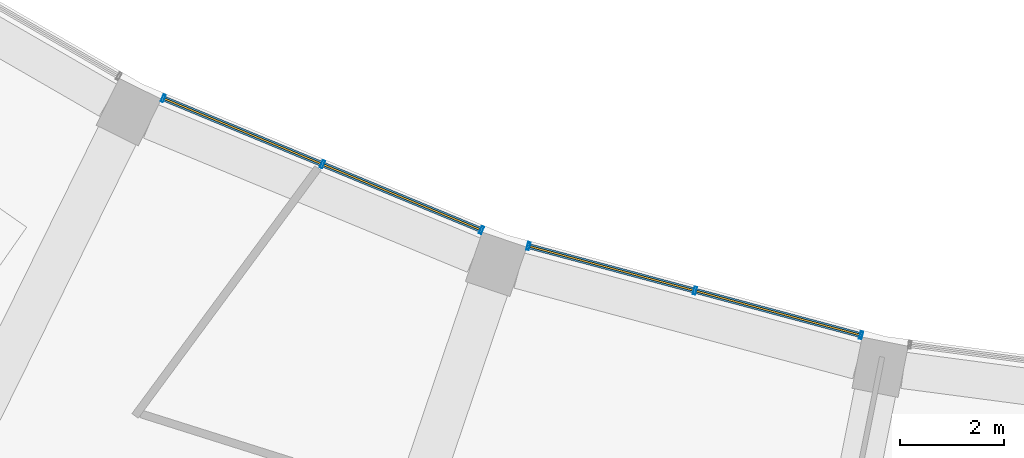
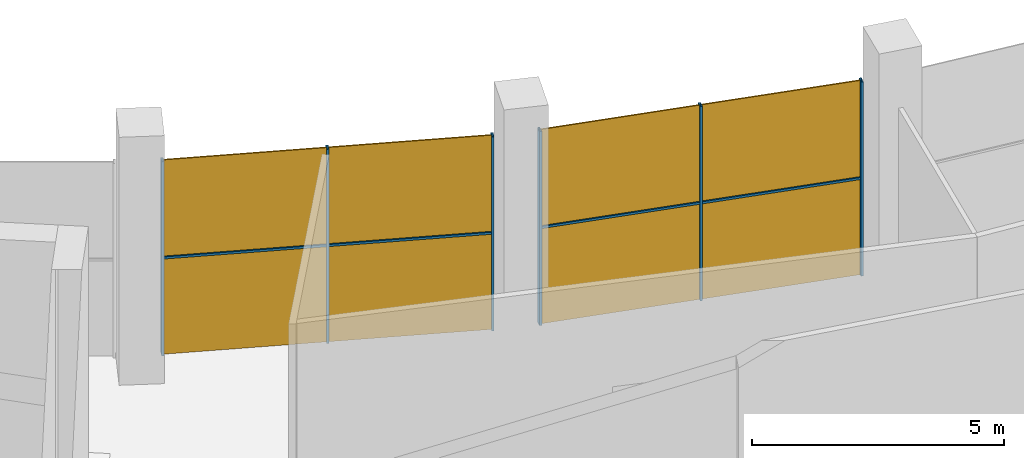
# One storey, part 27 of 41: 10 members, 2 curtain walls.
"""IFC4 building model written with IfcOpenShell, lengths in metres."""

from ifc_helpers import new_model, si_unit, direction, frame, origin, origin_2d, place, context, subcontext, project, spatial, rectangle, hollow_rectangle, extrude, material, material_profile, profile_set, type_object, element, aggregate, save


model = new_model("IFC4")

# Units and contexts
model_context = context("Model", 3, precision=1e-05, world=origin(), true_north=direction((0.0, 1.0)))
body_context = subcontext(model_context, "Body", "Model", "MODEL_VIEW")
ifc_project = project(units=[si_unit("LENGTHUNIT", "METRE"), si_unit("AREAUNIT", "SQUARE_METRE"), si_unit("VOLUMEUNIT", "CUBIC_METRE"), si_unit("PLANEANGLEUNIT", "RADIAN"), si_unit("MASSUNIT", "GRAM", prefix="KILO")], contexts=[model_context])

# Member
ifc_material = material(Name="Steel S355", Category="steel")
ifc_material_profile_1 = material_profile(ifc_material, hollow_rectangle(XDim=0.14990234375, YDim=0.050048828125, WallThickness=0.0048828125, at=origin_2d()))
ifc_profile_set_1 = profile_set([ifc_material_profile_1], Name="Steel S355")
member_type_1 = type_object("IfcMemberType", Name="Mullion RHS 150x50x5 steel S355", PredefinedType="MULLION", material=ifc_profile_set_1)
site_placement = place(None, origin())
building_placement = place(site_placement, origin())
storey_placement = place(building_placement, frame((0.0, 0.0, 284.699951171875)))
member_1_placement = place(storey_placement, frame((-25.10205078125, -51.97705078125, 0.0), z_axis=(0.0, 0.0, 1.0), x_axis=(0.382683432365, 0.923879532511, 0.0)))
member_1 = element("IfcMember", 1, at=member_1_placement, type_object=member_type_1, Name="e-cw5-L69-in04/M00", PredefinedType="MULLION", context=body_context, shape_type="SweptSolid", body=[
    extrude(hollow_rectangle(XDim=0.14990234375, YDim=0.050048828125, WallThickness=0.0048828125, at=origin_2d()), origin(), (0.0, 0.0, 1.0), 4.699951171875),
])

member_2_placement = place(storey_placement, frame((-22.052734375, -53.239990234375, 0.0), z_axis=(0.0, 0.0, 1.0), x_axis=(0.382683432365, 0.923879532511, 0.0)))
member_2 = element("IfcMember", 2, at=member_2_placement, type_object=member_type_1, Name="e-cw5-L69-in04/M01", PredefinedType="MULLION", context=body_context, shape_type="SweptSolid", body=[
    extrude(hollow_rectangle(XDim=0.14990234375, YDim=0.050048828125, WallThickness=0.0048828125, at=origin_2d()), origin(), (0.0, 0.0, 1.0), 4.699951171875),
])

member_3_placement = place(storey_placement, frame((-19.00341796875, -54.5029296875, 0.0), z_axis=(0.0, 0.0, 1.0), x_axis=(0.382683432365, 0.923879532511, 0.0)))
member_3 = element("IfcMember", 3, at=member_3_placement, type_object=member_type_1, Name="e-cw5-L69-in04/M02", PredefinedType="MULLION", context=body_context, shape_type="SweptSolid", body=[
    extrude(hollow_rectangle(XDim=0.14990234375, YDim=0.050048828125, WallThickness=0.0048828125, at=origin_2d()), origin(), (0.0, 0.0, 1.0), 4.699951171875),
])

member_4_placement = place(storey_placement, frame((-18.102783203125, -54.808837890625, 0.0), z_axis=(0.0, 0.0, 1.0), x_axis=(0.258819045103, 0.965925826289, 0.0)))
member_4 = element("IfcMember", 4, at=member_4_placement, type_object=member_type_1, Name="e-cw5-L69-in05/M00", PredefinedType="MULLION", context=body_context, shape_type="SweptSolid", body=[
    extrude(hollow_rectangle(XDim=0.14990234375, YDim=0.050048828125, WallThickness=0.0048828125, at=origin_2d()), origin(), (0.0, 0.0, 1.0), 4.699951171875),
])

member_5_placement = place(storey_placement, frame((-14.914794921875, -55.6630859375, 0.0), z_axis=(0.0, 0.0, 1.0), x_axis=(0.258819045103, 0.965925826289, 0.0)))
member_5 = element("IfcMember", 5, at=member_5_placement, type_object=member_type_1, Name="e-cw5-L69-in05/M01", PredefinedType="MULLION", context=body_context, shape_type="SweptSolid", body=[
    extrude(hollow_rectangle(XDim=0.14990234375, YDim=0.050048828125, WallThickness=0.0048828125, at=origin_2d()), origin(), (0.0, 0.0, 1.0), 4.699951171875),
])

member_6_placement = place(storey_placement, frame((-11.726806640625, -56.517333984375, 0.0), z_axis=(0.0, 0.0, 1.0), x_axis=(0.258819045103, 0.965925826289, 0.0)))
member_6 = element("IfcMember", 6, at=member_6_placement, type_object=member_type_1, Name="e-cw5-L69-in05/M02", PredefinedType="MULLION", context=body_context, shape_type="SweptSolid", body=[
    extrude(hollow_rectangle(XDim=0.14990234375, YDim=0.050048828125, WallThickness=0.0048828125, at=origin_2d()), origin(), (0.0, 0.0, 1.0), 4.699951171875),
])

ifc_material_profile_2 = material_profile(ifc_material, hollow_rectangle(XDim=0.10009765625, YDim=0.050048828125, WallThickness=0.00390625, at=origin_2d()))
ifc_profile_set_2 = profile_set([ifc_material_profile_2], Name="Steel S355")
member_type_2 = type_object("IfcMemberType", Name="Transom RHS 100x50x4 steel S355", PredefinedType="USERDEFINED", material=ifc_profile_set_2)
member_7_placement = place(storey_placement, frame((-25.078857421875, -51.986572265625, 2.35009765625), z_axis=(0.923874933397, -0.382694535419, 0.0), x_axis=(0.382694535419, 0.923874933397, 0.0)))
member_7 = element("IfcMember", 7, at=member_7_placement, type_object=member_type_2, Name="e-cw5-L69-in04/T00", ObjectType="TRANSOM", PredefinedType="USERDEFINED", context=body_context, shape_type="SweptSolid", body=[
    extrude(hollow_rectangle(XDim=0.10009765625, YDim=0.050048828125, WallThickness=0.00390625, at=origin_2d()), origin(), (0.0, 0.0, 1.0), 3.250244140625),
])

member_8_placement = place(storey_placement, frame((-22.029541015625, -53.24951171875, 2.35009765625), z_axis=(0.923874933397, -0.382694535419, 0.0), x_axis=(0.382694535419, 0.923874933397, 0.0)))
member_8 = element("IfcMember", 8, at=member_8_placement, type_object=member_type_2, Name="e-cw5-L69-in04/T01", ObjectType="TRANSOM", PredefinedType="USERDEFINED", context=body_context, shape_type="SweptSolid", body=[
    extrude(hollow_rectangle(XDim=0.10009765625, YDim=0.050048828125, WallThickness=0.00390625, at=origin_2d()), origin(), (0.0, 0.0, 1.0), 3.250244140625),
])

member_9_placement = place(storey_placement, frame((-18.07861328125, -54.815185546875, 2.35009765625), z_axis=(0.965922570443, -0.258831195781, 0.0), x_axis=(0.258831195781, 0.965922570443, 0.0)))
member_9 = element("IfcMember", 9, at=member_9_placement, type_object=member_type_2, Name="e-cw5-L69-in05/T00", ObjectType="TRANSOM", PredefinedType="USERDEFINED", context=body_context, shape_type="SweptSolid", body=[
    extrude(hollow_rectangle(XDim=0.10009765625, YDim=0.050048828125, WallThickness=0.00390625, at=origin_2d()), origin(), (0.0, 0.0, 1.0), 3.25048828125),
])

member_10_placement = place(storey_placement, frame((-14.890625, -55.66943359375, 2.35009765625), z_axis=(0.965922570443, -0.258831195781, 0.0), x_axis=(0.258831195781, 0.965922570443, 0.0)))
member_10 = element("IfcMember", 10, at=member_10_placement, type_object=member_type_2, Name="e-cw5-L69-in05/T01", ObjectType="TRANSOM", PredefinedType="USERDEFINED", context=body_context, shape_type="SweptSolid", body=[
    extrude(hollow_rectangle(XDim=0.10009765625, YDim=0.050048828125, WallThickness=0.00390625, at=origin_2d()), origin(), (0.0, 0.0, 1.0), 3.25048828125),
])

# Site, building, storey
site = spatial("IfcSite", under=ifc_project, at=site_placement, CompositionType="ELEMENT")
building = spatial("IfcBuilding", under=site, at=building_placement, Name="Qamariyya Broadcast Tower", CompositionType="ELEMENT")
storey = spatial("IfcBuildingStorey", under=building, at=storey_placement, Name="L69", CompositionType="ELEMENT", Elevation=284.699951171875)

# Curtain wall
curtain_wall_type = type_object("IfcCurtainWallType", Name="Observation gallery all-glass wall, steel mullions", PredefinedType="NOTDEFINED", material=ifc_material)
curtain_wall_1_placement = place(storey_placement, origin())
curtain_wall_1 = element("IfcCurtainWall", 11, at=curtain_wall_1_placement, inside=storey, type_object=curtain_wall_type, Name="e-cw5-L69-in04", PredefinedType="NOTDEFINED", context=body_context, shape_type="SweptSolid", body=[
    extrude(rectangle(XDim=3.25048828125, YDim=0.031982421875, at=origin_2d()), frame((-23.577392578125, -52.6083984375, 0.0), x_axis=(0.923865605463, -0.382717053503, 0.0)), (0.0, 0.0, 1.0), 2.324951171875),
    extrude(rectangle(XDim=3.25048828125, YDim=0.031982421875, at=origin_2d()), frame((-23.577392578125, -52.6083984375, 2.375), x_axis=(0.923865605463, -0.382717053503, 0.0)), (0.0, 0.0, 1.0), 2.324951171875),
    extrude(rectangle(XDim=3.25048828125, YDim=0.031982421875, at=origin_2d()), frame((-20.528076171875, -53.87158203125, 0.0), x_axis=(0.923865605463, -0.382717053503, 0.0)), (0.0, 0.0, 1.0), 2.324951171875),
    extrude(rectangle(XDim=3.25048828125, YDim=0.031982421875, at=origin_2d()), frame((-20.528076171875, -53.87158203125, 2.375), x_axis=(0.923865605463, -0.382717053503, 0.0)), (0.0, 0.0, 1.0), 2.324951171875),
])

aggregate(curtain_wall_1, [member_1, member_2, member_3, member_7, member_8])

curtain_wall_2_placement = place(storey_placement, origin())
curtain_wall_2 = element("IfcCurtainWall", 12, at=curtain_wall_2_placement, inside=storey, type_object=curtain_wall_type, Name="e-cw5-L69-in05", PredefinedType="NOTDEFINED", context=body_context, shape_type="SweptSolid", body=[
    extrude(rectangle(XDim=3.25048828125, YDim=0.031982421875, at=origin_2d()), frame((-16.5087890625, -55.23583984375, 0.0), x_axis=(0.965924128997, -0.258825379401, 0.0)), (0.0, 0.0, 1.0), 2.324951171875),
    extrude(rectangle(XDim=3.25048828125, YDim=0.031982421875, at=origin_2d()), frame((-16.5087890625, -55.23583984375, 2.375), x_axis=(0.965924128997, -0.258825379401, 0.0)), (0.0, 0.0, 1.0), 2.324951171875),
    extrude(rectangle(XDim=3.25048828125, YDim=0.031982421875, at=origin_2d()), frame((-13.32080078125, -56.090087890625, 0.0), x_axis=(0.965924128997, -0.258825379401, 0.0)), (0.0, 0.0, 1.0), 2.324951171875),
    extrude(rectangle(XDim=3.25048828125, YDim=0.031982421875, at=origin_2d()), frame((-13.32080078125, -56.090087890625, 2.375), x_axis=(0.965924128997, -0.258825379401, 0.0)), (0.0, 0.0, 1.0), 2.324951171875),
])

aggregate(curtain_wall_2, [member_4, member_5, member_6, member_9, member_10])

save(model, "model.ifc")
